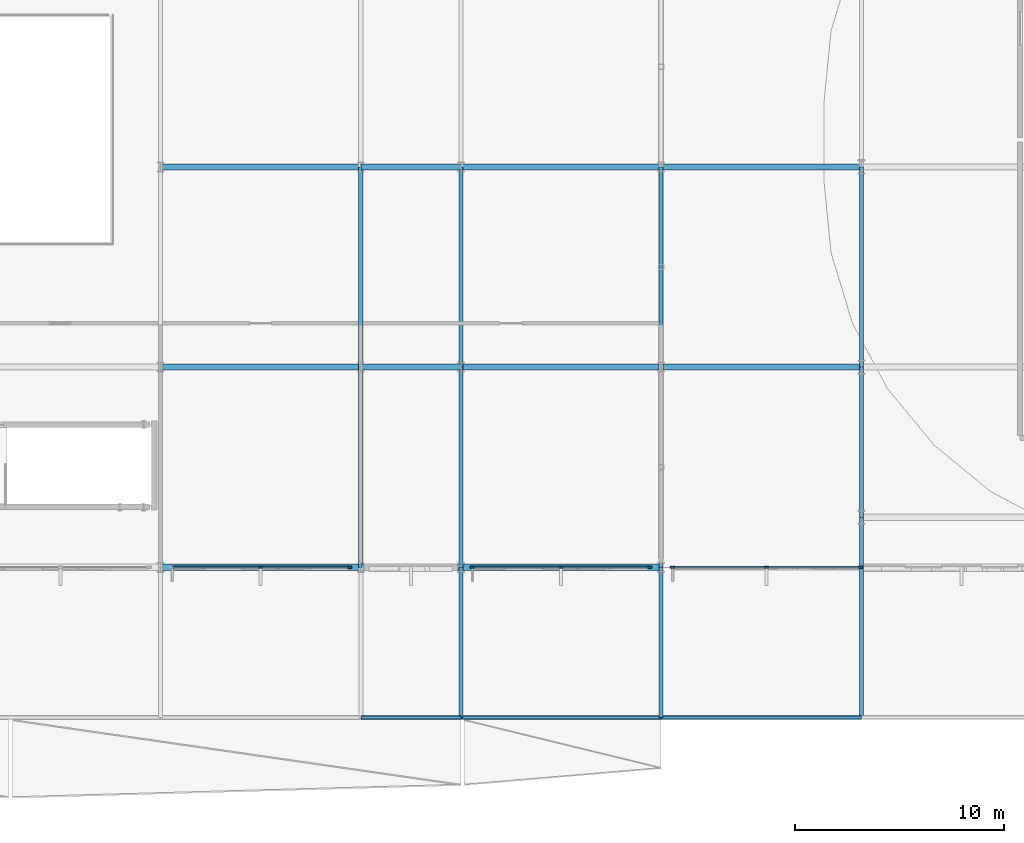
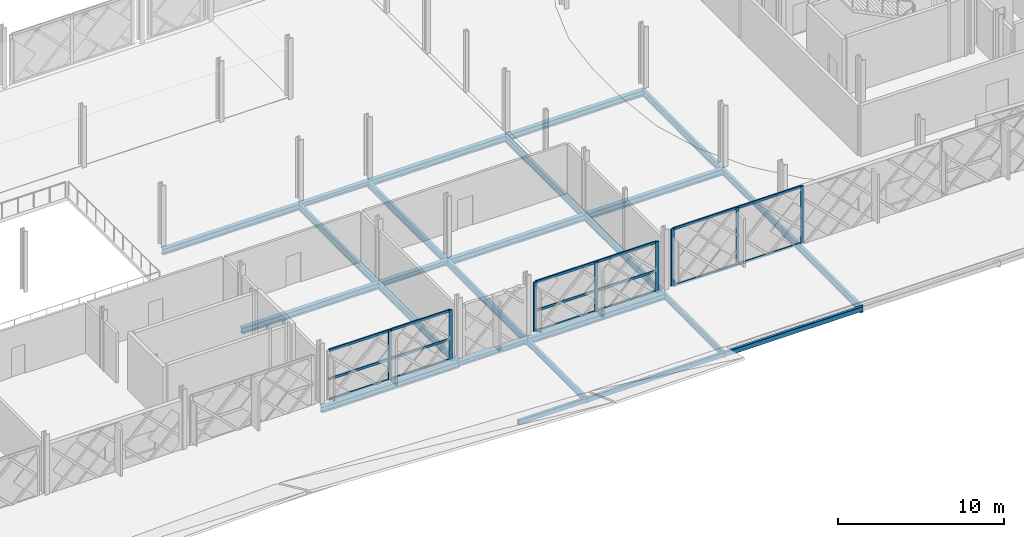
# One storey, part 39 of 101: 25 beams, 24 members, 3 elements without a shape of their own.
"""IFC4 building model written with IfcOpenShell, lengths in metres."""

from ifc_helpers import new_model, si_unit, direction, frame, origin, origin_2d, place, context, subcontext, project, spatial, rectangle, hollow_rectangle, i_section, extrude, material, layer, layer_set, material_profile, profile_set, type_object, element, aggregate, save


model = new_model("IFC4")

# Units and contexts
model_context = context("Model", 3, precision=1e-05, world=origin(), true_north=direction((0.0, 1.0)))
body_context = subcontext(model_context, "Body", "Model", "MODEL_VIEW")
ifc_project = project(units=[si_unit("LENGTHUNIT", "METRE"), si_unit("AREAUNIT", "SQUARE_METRE"), si_unit("VOLUMEUNIT", "CUBIC_METRE"), si_unit("PLANEANGLEUNIT", "RADIAN"), si_unit("MASSUNIT", "GRAM", prefix="KILO")], contexts=[model_context])

# Site, building, storey
site_placement = place(None, origin())
site = spatial("IfcSite", under=ifc_project, at=site_placement, CompositionType="ELEMENT")
building_placement = place(site_placement, origin())
building = spatial("IfcBuilding", under=site, at=building_placement, Name="Zevrakil Square Congress Hotel", CompositionType="ELEMENT")
storey_placement = place(building_placement, frame((0.0, 0.0, 5.39990234375)))
storey = spatial("IfcBuildingStorey", under=building, at=storey_placement, Name="L02", CompositionType="ELEMENT", Elevation=5.39990234375)

# Beams
ifc_material_1 = material(Name="Steel S355", Category="steel")
ifc_material_profile_1 = material_profile(ifc_material_1, i_section(OverallWidth=0.300048828125, OverallDepth=0.35009765625, WebThickness=0.010009765625, FlangeThickness=0.017578125, FilletRadius=0.027099609375, at=origin_2d()), Name="HEA 360")
ifc_profile_set_1 = profile_set([ifc_material_profile_1], Name="Steel S355")
beam_type_1 = type_object("IfcBeamType", Name="BM-HEA360", PredefinedType="BEAM", material=ifc_profile_set_1)
for number, where, z_axis, x_axis, name in (
    (1, (103.199951171875, 7.199951171875, -0.434814453125), (1.0, 0.0, 0.0), (0.0, 1.0, 0.0), "L02 primary girder BX-0687"),
    (2, (103.199951171875, 16.800048828125, -0.434814453125), (1.0, 0.0, 0.0), (0.0, 1.0, 0.0), "L02 primary girder BX-0699"),
    (3, (103.199951171875, 26.39990234375, -0.434814453125), (1.0, 0.0, 0.0), (0.0, 1.0, 0.0), "L02 primary girder BX-0712"),
):
    element("IfcBeam", number, at=place(storey_placement, frame(where, z_axis=z_axis, x_axis=x_axis)), inside=storey, type_object=beam_type_1, Name=name, PredefinedType="BEAM", context=body_context, shape_type="SweptSolid", body=[
        extrude(i_section(OverallWidth=0.300048828125, OverallDepth=0.35009765625, WebThickness=0.010009765625, FlangeThickness=0.017578125, FilletRadius=0.027099609375, at=origin_2d()), origin(), (0.0, 0.0, 1.0), 4.800048828125),
    ])
ifc_material_2 = material(Name="Steel S355", Category="steel")
ifc_material_profile_2 = material_profile(ifc_material_2, i_section(OverallWidth=0.300048828125, OverallDepth=0.43994140625, WebThickness=0.011474609375, FlangeThickness=0.02099609375, FilletRadius=0.027099609375, at=origin_2d()), Name="HEA 450")
ifc_profile_set_2 = profile_set([ifc_material_profile_2], Name="Steel S355")
beam_type_2 = type_object("IfcBeamType", Name="BM-HEA450", PredefinedType="BEAM", material=ifc_profile_set_2)
beam_1_placement = place(storey_placement, frame((93.60009765625, 7.199951171875, -0.47998046875), z_axis=(1.0, 0.0, 0.0), x_axis=(0.0, 1.0, 0.0)))
element("IfcBeam", 4, at=beam_1_placement, inside=storey, type_object=beam_type_2, Name="L02 primary girder BX-0686", PredefinedType="BEAM", context=body_context, shape_type="SweptSolid", body=[
    extrude(i_section(OverallWidth=0.300048828125, OverallDepth=0.43994140625, WebThickness=0.011474609375, FlangeThickness=0.02099609375, FilletRadius=0.027099609375, at=origin_2d()), origin(), (0.0, 0.0, 1.0), 9.599853515625),
])
beam_2_placement = place(storey_placement, frame((108.0, 7.199951171875, -0.47998046875), z_axis=(1.0, 0.0, 0.0), x_axis=(0.0, 1.0, 0.0)))
element("IfcBeam", 5, at=beam_2_placement, inside=storey, type_object=beam_type_2, Name="L02 primary girder BX-0688", PredefinedType="BEAM", context=body_context, shape_type="SweptSolid", body=[
    extrude(i_section(OverallWidth=0.300048828125, OverallDepth=0.43994140625, WebThickness=0.011474609375, FlangeThickness=0.02099609375, FilletRadius=0.027099609375, at=origin_2d()), origin(), (0.0, 0.0, 1.0), 9.60009765625),
])
beam_3_placement = place(storey_placement, frame((93.60009765625, 16.800048828125, -0.47998046875), z_axis=(1.0, 0.0, 0.0), x_axis=(0.0, 1.0, 0.0)))
element("IfcBeam", 6, at=beam_3_placement, inside=storey, type_object=beam_type_2, Name="L02 primary girder BX-0698", PredefinedType="BEAM", context=body_context, shape_type="SweptSolid", body=[
    extrude(i_section(OverallWidth=0.300048828125, OverallDepth=0.43994140625, WebThickness=0.011474609375, FlangeThickness=0.02099609375, FilletRadius=0.027099609375, at=origin_2d()), origin(), (0.0, 0.0, 1.0), 9.599853515625),
])
beam_4_placement = place(storey_placement, frame((108.0, 16.800048828125, -0.47998046875), z_axis=(1.0, 0.0, 0.0), x_axis=(0.0, 1.0, 0.0)))
element("IfcBeam", 7, at=beam_4_placement, inside=storey, type_object=beam_type_2, Name="L02 primary girder BX-0700", PredefinedType="BEAM", context=body_context, shape_type="SweptSolid", body=[
    extrude(i_section(OverallWidth=0.300048828125, OverallDepth=0.43994140625, WebThickness=0.011474609375, FlangeThickness=0.02099609375, FilletRadius=0.027099609375, at=origin_2d()), origin(), (0.0, 0.0, 1.0), 9.60009765625),
])
for number, where, z_axis, x_axis, name in (
    (8, (117.60009765625, 16.800048828125, -0.47998046875), (1.0, 0.0, 0.0), (0.0, 1.0, 0.0), "L02 primary girder BX-0701"),
    (9, (93.60009765625, 26.39990234375, -0.47998046875), (1.0, 0.0, 0.0), (0.0, 1.0, 0.0), "L02 primary girder BX-0711"),
):
    element("IfcBeam", number, at=place(storey_placement, frame(where, z_axis=z_axis, x_axis=x_axis)), inside=storey, type_object=beam_type_2, Name=name, PredefinedType="BEAM", context=body_context, shape_type="SweptSolid", body=[
        extrude(i_section(OverallWidth=0.300048828125, OverallDepth=0.43994140625, WebThickness=0.011474609375, FlangeThickness=0.02099609375, FilletRadius=0.027099609375, at=origin_2d()), origin(), (0.0, 0.0, 1.0), 9.599853515625),
    ])
beam_5_placement = place(storey_placement, frame((108.0, 26.39990234375, -0.47998046875), z_axis=(1.0, 0.0, 0.0), x_axis=(0.0, 1.0, 0.0)))
element("IfcBeam", 10, at=beam_5_placement, inside=storey, type_object=beam_type_2, Name="L02 primary girder BX-0713", PredefinedType="BEAM", context=body_context, shape_type="SweptSolid", body=[
    extrude(i_section(OverallWidth=0.300048828125, OverallDepth=0.43994140625, WebThickness=0.011474609375, FlangeThickness=0.02099609375, FilletRadius=0.027099609375, at=origin_2d()), origin(), (0.0, 0.0, 1.0), 9.60009765625),
])
beam_6_placement = place(storey_placement, frame((117.60009765625, 26.39990234375, -0.47998046875), z_axis=(1.0, 0.0, 0.0), x_axis=(0.0, 1.0, 0.0)))
element("IfcBeam", 11, at=beam_6_placement, inside=storey, type_object=beam_type_2, Name="L02 primary girder BX-0714", PredefinedType="BEAM", context=body_context, shape_type="SweptSolid", body=[
    extrude(i_section(OverallWidth=0.300048828125, OverallDepth=0.43994140625, WebThickness=0.011474609375, FlangeThickness=0.02099609375, FilletRadius=0.027099609375, at=origin_2d()), origin(), (0.0, 0.0, 1.0), 9.599853515625),
])
ifc_material_3 = material(Name="Steel S355", Category="steel")
ifc_material_profile_3 = material_profile(ifc_material_3, i_section(OverallWidth=0.18994140625, OverallDepth=0.449951171875, WebThickness=0.009521484375, FlangeThickness=0.0146484375, FilletRadius=0.02099609375, at=origin_2d()), Name="IPE 450")
ifc_profile_set_3 = profile_set([ifc_material_profile_3], Name="Steel S355")
beam_type_3 = type_object("IfcBeamType", Name="BM-IPE450", PredefinedType="BEAM", material=ifc_profile_set_3)
for number, where, z_axis, x_axis, name in (
    (12, (108.0, 0.0, -0.48486328125), (0.0, 1.0, 0.0), (-1.0, 0.0, 0.0), "L02 primary girder BY-0908"),
    (13, (117.60009765625, 0.0, -0.48486328125), (0.0, 1.0, 0.0), (-1.0, 0.0, 0.0), "L02 primary girder BY-0920"),
    (14, (127.199951171875, 9.60009765625, -0.48486328125), (0.0, 1.0, 0.0), (-1.0, 0.0, 0.0), "L02 primary girder BY-0933"),
):
    element("IfcBeam", number, at=place(storey_placement, frame(where, z_axis=z_axis, x_axis=x_axis)), inside=storey, type_object=beam_type_3, Name=name, PredefinedType="BEAM", context=body_context, shape_type="SweptSolid", body=[
        extrude(i_section(OverallWidth=0.18994140625, OverallDepth=0.449951171875, WebThickness=0.009521484375, FlangeThickness=0.0146484375, FilletRadius=0.02099609375, at=origin_2d()), origin(), (0.0, 0.0, 1.0), 7.199951171875),
    ])
ifc_material_4 = material(Name="Steel S355", Category="steel")
ifc_material_profile_4 = material_profile(ifc_material_4, i_section(OverallWidth=0.199951171875, OverallDepth=0.5, WebThickness=0.01025390625, FlangeThickness=0.01611328125, FilletRadius=0.02099609375, at=origin_2d()), Name="IPE 500")
ifc_profile_set_4 = profile_set([ifc_material_profile_4], Name="Steel S355")
beam_type_4 = type_object("IfcBeamType", Name="BM-IPE500", PredefinedType="BEAM", material=ifc_profile_set_4)
beam_7_placement = place(storey_placement, frame((103.199951171875, 7.199951171875, -0.510009765625), z_axis=(0.0, 1.0, 0.0), x_axis=(-1.0, 0.0, 0.0)))
element("IfcBeam", 15, at=beam_7_placement, inside=storey, type_object=beam_type_4, Name="L02 primary girder BY-0901", PredefinedType="BEAM", context=body_context, shape_type="SweptSolid", body=[
    extrude(i_section(OverallWidth=0.199951171875, OverallDepth=0.5, WebThickness=0.01025390625, FlangeThickness=0.01611328125, FilletRadius=0.02099609375, at=origin_2d()), origin(), (0.0, 0.0, 1.0), 9.60009765625),
])
beam_8_placement = place(storey_placement, frame((103.199951171875, 16.800048828125, -0.510009765625), z_axis=(0.0, 1.0, 0.0), x_axis=(-1.0, 0.0, 0.0)))
element("IfcBeam", 16, at=beam_8_placement, inside=storey, type_object=beam_type_4, Name="L02 primary girder BY-0902", PredefinedType="BEAM", context=body_context, shape_type="SweptSolid", body=[
    extrude(i_section(OverallWidth=0.199951171875, OverallDepth=0.5, WebThickness=0.01025390625, FlangeThickness=0.01611328125, FilletRadius=0.02099609375, at=origin_2d()), origin(), (0.0, 0.0, 1.0), 9.599853515625),
])
beam_9_placement = place(storey_placement, frame((108.0, 7.199951171875, -0.510009765625), z_axis=(0.0, 1.0, 0.0), x_axis=(-1.0, 0.0, 0.0)))
element("IfcBeam", 17, at=beam_9_placement, inside=storey, type_object=beam_type_4, Name="L02 primary girder BY-0909", PredefinedType="BEAM", context=body_context, shape_type="SweptSolid", body=[
    extrude(i_section(OverallWidth=0.199951171875, OverallDepth=0.5, WebThickness=0.01025390625, FlangeThickness=0.01611328125, FilletRadius=0.02099609375, at=origin_2d()), origin(), (0.0, 0.0, 1.0), 9.60009765625),
])
beam_10_placement = place(storey_placement, frame((108.0, 16.800048828125, -0.510009765625), z_axis=(0.0, 1.0, 0.0), x_axis=(-1.0, 0.0, 0.0)))
element("IfcBeam", 18, at=beam_10_placement, inside=storey, type_object=beam_type_4, Name="L02 primary girder BY-0910", PredefinedType="BEAM", context=body_context, shape_type="SweptSolid", body=[
    extrude(i_section(OverallWidth=0.199951171875, OverallDepth=0.5, WebThickness=0.01025390625, FlangeThickness=0.01611328125, FilletRadius=0.02099609375, at=origin_2d()), origin(), (0.0, 0.0, 1.0), 9.599853515625),
])
beam_11_placement = place(storey_placement, frame((117.60009765625, 7.199951171875, -0.510009765625), z_axis=(0.0, 1.0, 0.0), x_axis=(-1.0, 0.0, 0.0)))
element("IfcBeam", 19, at=beam_11_placement, inside=storey, type_object=beam_type_4, Name="L02 primary girder BY-0921", PredefinedType="BEAM", context=body_context, shape_type="SweptSolid", body=[
    extrude(i_section(OverallWidth=0.199951171875, OverallDepth=0.5, WebThickness=0.01025390625, FlangeThickness=0.01611328125, FilletRadius=0.02099609375, at=origin_2d()), origin(), (0.0, 0.0, 1.0), 9.60009765625),
])
beam_12_placement = place(storey_placement, frame((117.60009765625, 16.800048828125, -0.510009765625), z_axis=(0.0, 1.0, 0.0), x_axis=(-1.0, 0.0, 0.0)))
element("IfcBeam", 20, at=beam_12_placement, inside=storey, type_object=beam_type_4, Name="L02 primary girder BY-0922", PredefinedType="BEAM", context=body_context, shape_type="SweptSolid", body=[
    extrude(i_section(OverallWidth=0.199951171875, OverallDepth=0.5, WebThickness=0.01025390625, FlangeThickness=0.01611328125, FilletRadius=0.02099609375, at=origin_2d()), origin(), (0.0, 0.0, 1.0), 9.599853515625),
])
beam_13_placement = place(storey_placement, frame((127.199951171875, 0.0, -0.510009765625), z_axis=(0.0, 1.0, 0.0), x_axis=(-1.0, 0.0, 0.0)))
element("IfcBeam", 21, at=beam_13_placement, inside=storey, type_object=beam_type_4, Name="L02 primary girder BY-0932", PredefinedType="BEAM", context=body_context, shape_type="SweptSolid", body=[
    extrude(i_section(OverallWidth=0.199951171875, OverallDepth=0.5, WebThickness=0.01025390625, FlangeThickness=0.01611328125, FilletRadius=0.02099609375, at=origin_2d()), origin(), (0.0, 0.0, 1.0), 9.60009765625),
])
beam_14_placement = place(storey_placement, frame((127.199951171875, 16.800048828125, -0.510009765625), z_axis=(0.0, 1.0, 0.0), x_axis=(-1.0, 0.0, 0.0)))
element("IfcBeam", 22, at=beam_14_placement, inside=storey, type_object=beam_type_4, Name="L02 primary girder BY-0934", PredefinedType="BEAM", context=body_context, shape_type="SweptSolid", body=[
    extrude(i_section(OverallWidth=0.199951171875, OverallDepth=0.5, WebThickness=0.01025390625, FlangeThickness=0.01611328125, FilletRadius=0.02099609375, at=origin_2d()), origin(), (0.0, 0.0, 1.0), 9.599853515625),
])

# Curtain wall, members
ifc_material_5 = material(Name="Aluminium Anodised Bronze", Category="aluminium")
ifc_layer_1 = layer(ifc_material_5, 0.179931640625)
ifc_layer_set_1 = layer_set([ifc_layer_1], Name="Aluminium Anodised Bronze")
curtain_wall_type_1 = type_object("IfcCurtainWallType", Name="CW-L02-840", PredefinedType="USERDEFINED", material=ifc_layer_set_1)
curtain_wall_1_placement = place(storey_placement, origin())
curtain_wall_1 = element("IfcCurtainWall", 23, at=curtain_wall_1_placement, inside=storey, type_object=curtain_wall_type_1, Name="L02 diamond curtain wall CW-L02-0010", ObjectType="GLAZED CURTAIN WALL", PredefinedType="USERDEFINED")
ifc_material_6 = material(Name="Aluminium Anodised Bronze", Category="aluminium")
ifc_material_profile_5 = material_profile(ifc_material_6, rectangle(XDim=0.0849609375, YDim=0.179931640625, at=origin_2d()), Name="ALU 85x180")
ifc_profile_set_5 = profile_set([ifc_material_profile_5], Name="Aluminium Anodised Bronze")
member_type_1 = type_object("IfcMemberType", Name="CWM-ALU85x180", PredefinedType="USERDEFINED", material=ifc_profile_set_5)
member_1_placement = place(storey_placement, frame((94.179931640625, 7.199951171875, 0.030029296875), z_axis=(1.0, 0.0, 0.0), x_axis=(0.0, 1.0, 0.0)))
member_1 = element("IfcMember", 24, at=member_1_placement, type_object=member_type_1, Name="CW-23 transom 1.1", ObjectType="TRANSOM", PredefinedType="USERDEFINED", context=body_context, shape_type="SweptSolid", body=[
    extrude(rectangle(XDim=0.0849609375, YDim=0.179931640625, at=origin_2d()), origin(), (0.0, 0.0, 1.0), 4.190185546875),
])
member_2_placement = place(storey_placement, frame((94.179931640625, 7.199951171875, 1.5478515625), z_axis=(1.0, 0.0, 0.0), x_axis=(0.0, 1.0, 0.0)))
member_2 = element("IfcMember", 25, at=member_2_placement, type_object=member_type_1, Name="CW-23 transom 1.2", ObjectType="TRANSOM", PredefinedType="USERDEFINED", context=body_context, shape_type="SweptSolid", body=[
    extrude(rectangle(XDim=0.0849609375, YDim=0.179931640625, at=origin_2d()), origin(), (0.0, 0.0, 1.0), 4.190185546875),
])
member_3_placement = place(storey_placement, frame((94.179931640625, 7.199951171875, 3.655029296875), z_axis=(1.0, 0.0, 0.0), x_axis=(0.0, 1.0, 0.0)))
member_3 = element("IfcMember", 26, at=member_3_placement, type_object=member_type_1, Name="CW-23 transom 1.3", ObjectType="TRANSOM", PredefinedType="USERDEFINED", context=body_context, shape_type="SweptSolid", body=[
    extrude(rectangle(XDim=0.0849609375, YDim=0.179931640625, at=origin_2d()), origin(), (0.0, 0.0, 1.0), 4.190185546875),
])
member_4_placement = place(storey_placement, frame((98.429931640625, 7.199951171875, 0.030029296875), z_axis=(1.0, 0.0, 0.0), x_axis=(0.0, 1.0, 0.0)))
member_4 = element("IfcMember", 27, at=member_4_placement, type_object=member_type_1, Name="CW-23 transom 2.1", ObjectType="TRANSOM", PredefinedType="USERDEFINED", context=body_context, shape_type="SweptSolid", body=[
    extrude(rectangle(XDim=0.0849609375, YDim=0.179931640625, at=origin_2d()), origin(), (0.0, 0.0, 1.0), 4.190185546875),
])
member_5_placement = place(storey_placement, frame((98.429931640625, 7.199951171875, 1.5478515625), z_axis=(1.0, 0.0, 0.0), x_axis=(0.0, 1.0, 0.0)))
member_5 = element("IfcMember", 28, at=member_5_placement, type_object=member_type_1, Name="CW-23 transom 2.2", ObjectType="TRANSOM", PredefinedType="USERDEFINED", context=body_context, shape_type="SweptSolid", body=[
    extrude(rectangle(XDim=0.0849609375, YDim=0.179931640625, at=origin_2d()), origin(), (0.0, 0.0, 1.0), 4.190185546875),
])
member_6_placement = place(storey_placement, frame((98.429931640625, 7.199951171875, 3.655029296875), z_axis=(1.0, 0.0, 0.0), x_axis=(0.0, 1.0, 0.0)))
member_6 = element("IfcMember", 29, at=member_6_placement, type_object=member_type_1, Name="CW-23 transom 2.3", ObjectType="TRANSOM", PredefinedType="USERDEFINED", context=body_context, shape_type="SweptSolid", body=[
    extrude(rectangle(XDim=0.0849609375, YDim=0.179931640625, at=origin_2d()), origin(), (0.0, 0.0, 1.0), 4.190185546875),
])

curtain_wall_2_placement = place(storey_placement, origin())
curtain_wall_2 = element("IfcCurtainWall", 30, at=curtain_wall_2_placement, inside=storey, type_object=curtain_wall_type_1, Name="L02 diamond curtain wall CW-L02-0012", ObjectType="GLAZED CURTAIN WALL", PredefinedType="USERDEFINED")
member_7_placement = place(storey_placement, frame((108.580078125, 7.199951171875, 0.030029296875), z_axis=(1.0, 0.0, 0.0), x_axis=(0.0, 1.0, 0.0)))
member_7 = element("IfcMember", 31, at=member_7_placement, type_object=member_type_1, Name="CW-23 transom 1.1", ObjectType="TRANSOM", PredefinedType="USERDEFINED", context=body_context, shape_type="SweptSolid", body=[
    extrude(rectangle(XDim=0.0849609375, YDim=0.179931640625, at=origin_2d()), origin(), (0.0, 0.0, 1.0), 4.18994140625),
])
member_8_placement = place(storey_placement, frame((108.580078125, 7.199951171875, 1.5478515625), z_axis=(1.0, 0.0, 0.0), x_axis=(0.0, 1.0, 0.0)))
member_8 = element("IfcMember", 32, at=member_8_placement, type_object=member_type_1, Name="CW-23 transom 1.2", ObjectType="TRANSOM", PredefinedType="USERDEFINED", context=body_context, shape_type="SweptSolid", body=[
    extrude(rectangle(XDim=0.0849609375, YDim=0.179931640625, at=origin_2d()), origin(), (0.0, 0.0, 1.0), 4.18994140625),
])
member_9_placement = place(storey_placement, frame((108.580078125, 7.199951171875, 3.655029296875), z_axis=(1.0, 0.0, 0.0), x_axis=(0.0, 1.0, 0.0)))
member_9 = element("IfcMember", 33, at=member_9_placement, type_object=member_type_1, Name="CW-23 transom 1.3", ObjectType="TRANSOM", PredefinedType="USERDEFINED", context=body_context, shape_type="SweptSolid", body=[
    extrude(rectangle(XDim=0.0849609375, YDim=0.179931640625, at=origin_2d()), origin(), (0.0, 0.0, 1.0), 4.18994140625),
])
member_10_placement = place(storey_placement, frame((112.830078125, 7.199951171875, 0.030029296875), z_axis=(1.0, 0.0, 0.0), x_axis=(0.0, 1.0, 0.0)))
member_10 = element("IfcMember", 34, at=member_10_placement, type_object=member_type_1, Name="CW-23 transom 2.1", ObjectType="TRANSOM", PredefinedType="USERDEFINED", context=body_context, shape_type="SweptSolid", body=[
    extrude(rectangle(XDim=0.0849609375, YDim=0.179931640625, at=origin_2d()), origin(), (0.0, 0.0, 1.0), 4.18994140625),
])
member_11_placement = place(storey_placement, frame((112.830078125, 7.199951171875, 1.5478515625), z_axis=(1.0, 0.0, 0.0), x_axis=(0.0, 1.0, 0.0)))
member_11 = element("IfcMember", 35, at=member_11_placement, type_object=member_type_1, Name="CW-23 transom 2.2", ObjectType="TRANSOM", PredefinedType="USERDEFINED", context=body_context, shape_type="SweptSolid", body=[
    extrude(rectangle(XDim=0.0849609375, YDim=0.179931640625, at=origin_2d()), origin(), (0.0, 0.0, 1.0), 4.18994140625),
])
member_12_placement = place(storey_placement, frame((112.830078125, 7.199951171875, 3.655029296875), z_axis=(1.0, 0.0, 0.0), x_axis=(0.0, 1.0, 0.0)))
member_12 = element("IfcMember", 36, at=member_12_placement, type_object=member_type_1, Name="CW-23 transom 2.3", ObjectType="TRANSOM", PredefinedType="USERDEFINED", context=body_context, shape_type="SweptSolid", body=[
    extrude(rectangle(XDim=0.0849609375, YDim=0.179931640625, at=origin_2d()), origin(), (0.0, 0.0, 1.0), 4.18994140625),
])

ifc_material_7 = material(Name="Aluminium Anodised Bronze", Category="aluminium")
ifc_layer_2 = layer(ifc_material_7, 0.179931640625)
ifc_layer_set_2 = layer_set([ifc_layer_2], Name="Aluminium Anodised Bronze")
curtain_wall_type_2 = type_object("IfcCurtainWallType", Name="CW-L02-900", PredefinedType="USERDEFINED", material=ifc_layer_set_2)
curtain_wall_3_placement = place(storey_placement, origin())
curtain_wall_3 = element("IfcCurtainWall", 37, at=curtain_wall_3_placement, inside=storey, type_object=curtain_wall_type_2, Name="L02 diamond curtain wall CW-L02-0013", ObjectType="GLAZED CURTAIN WALL", PredefinedType="USERDEFINED")
member_13_placement = place(storey_placement, frame((118.179931640625, 7.199951171875, 0.030029296875), z_axis=(1.0, 0.0, 0.0), x_axis=(0.0, 1.0, 0.0)))
member_13 = element("IfcMember", 38, at=member_13_placement, type_object=member_type_1, Name="CW-24 transom 1.1", ObjectType="TRANSOM", PredefinedType="USERDEFINED", context=body_context, shape_type="SweptSolid", body=[
    extrude(rectangle(XDim=0.0849609375, YDim=0.179931640625, at=origin_2d()), origin(), (0.0, 0.0, 1.0), 4.448486328125),
])
member_14_placement = place(storey_placement, frame((118.179931640625, 7.199951171875, 4.210205078125), z_axis=(1.0, 0.0, 0.0), x_axis=(0.0, 1.0, 0.0)))
member_14 = element("IfcMember", 39, at=member_14_placement, type_object=member_type_1, Name="CW-24 transom 1.2", ObjectType="TRANSOM", PredefinedType="USERDEFINED", context=body_context, shape_type="SweptSolid", body=[
    extrude(rectangle(XDim=0.0849609375, YDim=0.179931640625, at=origin_2d()), origin(), (0.0, 0.0, 1.0), 4.448486328125),
])
member_15_placement = place(storey_placement, frame((122.6884765625, 7.199951171875, 0.030029296875), z_axis=(1.0, 0.0, 0.0), x_axis=(0.0, 1.0, 0.0)))
member_15 = element("IfcMember", 40, at=member_15_placement, type_object=member_type_1, Name="CW-24 transom 2.1", ObjectType="TRANSOM", PredefinedType="USERDEFINED", context=body_context, shape_type="SweptSolid", body=[
    extrude(rectangle(XDim=0.0849609375, YDim=0.179931640625, at=origin_2d()), origin(), (0.0, 0.0, 1.0), 4.448486328125),
])
member_16_placement = place(storey_placement, frame((122.6884765625, 7.199951171875, 4.210205078125), z_axis=(1.0, 0.0, 0.0), x_axis=(0.0, 1.0, 0.0)))
member_16 = element("IfcMember", 41, at=member_16_placement, type_object=member_type_1, Name="CW-24 transom 2.2", ObjectType="TRANSOM", PredefinedType="USERDEFINED", context=body_context, shape_type="SweptSolid", body=[
    extrude(rectangle(XDim=0.0849609375, YDim=0.179931640625, at=origin_2d()), origin(), (0.0, 0.0, 1.0), 4.448486328125),
])

# Member
ifc_material_8 = material(Name="Aluminium Anodised Bronze", Category="aluminium")
ifc_material_profile_6 = material_profile(ifc_material_8, rectangle(XDim=0.0849609375, YDim=0.219970703125, at=origin_2d()), Name="ALU 85x220")
ifc_profile_set_6 = profile_set([ifc_material_profile_6], Name="Aluminium Anodised Bronze")
member_type_2 = type_object("IfcMemberType", Name="CWM-ALU85x220", PredefinedType="MULLION", material=ifc_profile_set_6)
member_17_placement = place(storey_placement, frame((98.39990234375, 7.199951171875, 0.0), z_axis=(0.0, 0.0, 1.0), x_axis=(0.0, 1.0, 0.0)))
member_17 = element("IfcMember", 42, at=member_17_placement, type_object=member_type_2, Name="CW-23 mullion 2", PredefinedType="MULLION", context=body_context, shape_type="SweptSolid", body=[
    extrude(rectangle(XDim=0.0849609375, YDim=0.219970703125, at=origin_2d()), origin(), (0.0, 0.0, 1.0), 3.68505859375),
])

member_18_placement = place(storey_placement, frame((102.64990234375, 7.199951171875, 0.0), z_axis=(0.0, 0.0, 1.0), x_axis=(0.0, 1.0, 0.0)))
member_18 = element("IfcMember", 43, at=member_18_placement, type_object=member_type_2, Name="CW-23 mullion 3", PredefinedType="MULLION", context=body_context, shape_type="SweptSolid", body=[
    extrude(rectangle(XDim=0.0849609375, YDim=0.219970703125, at=origin_2d()), origin(), (0.0, 0.0, 1.0), 3.68505859375),
])

aggregate(curtain_wall_1, [member_17, member_18, member_1, member_2, member_3, member_4, member_5, member_6])

member_19_placement = place(storey_placement, frame((108.550048828125, 7.199951171875, 0.0), z_axis=(0.0, 0.0, 1.0), x_axis=(0.0, 1.0, 0.0)))
member_19 = element("IfcMember", 44, at=member_19_placement, type_object=member_type_2, Name="CW-23 mullion 1", PredefinedType="MULLION", context=body_context, shape_type="SweptSolid", body=[
    extrude(rectangle(XDim=0.0849609375, YDim=0.219970703125, at=origin_2d()), origin(), (0.0, 0.0, 1.0), 3.68505859375),
])

member_20_placement = place(storey_placement, frame((112.800048828125, 7.199951171875, 0.0), z_axis=(0.0, 0.0, 1.0), x_axis=(0.0, 1.0, 0.0)))
member_20 = element("IfcMember", 45, at=member_20_placement, type_object=member_type_2, Name="CW-23 mullion 2", PredefinedType="MULLION", context=body_context, shape_type="SweptSolid", body=[
    extrude(rectangle(XDim=0.0849609375, YDim=0.219970703125, at=origin_2d()), origin(), (0.0, 0.0, 1.0), 3.68505859375),
])

member_21_placement = place(storey_placement, frame((117.050048828125, 7.199951171875, 0.0), z_axis=(0.0, 0.0, 1.0), x_axis=(0.0, 1.0, 0.0)))
member_21 = element("IfcMember", 46, at=member_21_placement, type_object=member_type_2, Name="CW-23 mullion 3", PredefinedType="MULLION", context=body_context, shape_type="SweptSolid", body=[
    extrude(rectangle(XDim=0.0849609375, YDim=0.219970703125, at=origin_2d()), origin(), (0.0, 0.0, 1.0), 3.68505859375),
])

aggregate(curtain_wall_2, [member_19, member_20, member_21, member_7, member_8, member_9, member_10, member_11, member_12])

member_22_placement = place(storey_placement, frame((118.14990234375, 7.199951171875, 0.0), z_axis=(0.0, 0.0, 1.0), x_axis=(0.0, 1.0, 0.0)))
member_22 = element("IfcMember", 47, at=member_22_placement, type_object=member_type_2, Name="CW-24 mullion 1", PredefinedType="MULLION", context=body_context, shape_type="SweptSolid", body=[
    extrude(rectangle(XDim=0.0849609375, YDim=0.219970703125, at=origin_2d()), origin(), (0.0, 0.0, 1.0), 4.239990234375),
])

member_23_placement = place(storey_placement, frame((122.658447265625, 7.199951171875, 0.0), z_axis=(0.0, 0.0, 1.0), x_axis=(0.0, 1.0, 0.0)))
member_23 = element("IfcMember", 48, at=member_23_placement, type_object=member_type_2, Name="CW-24 mullion 2", PredefinedType="MULLION", context=body_context, shape_type="SweptSolid", body=[
    extrude(rectangle(XDim=0.0849609375, YDim=0.219970703125, at=origin_2d()), origin(), (0.0, 0.0, 1.0), 4.239990234375),
])

member_24_placement = place(storey_placement, frame((127.1669921875, 7.199951171875, 0.0), z_axis=(0.0, 0.0, 1.0), x_axis=(0.0, 1.0, 0.0)))
member_24 = element("IfcMember", 49, at=member_24_placement, type_object=member_type_2, Name="CW-24 mullion 3", PredefinedType="MULLION", context=body_context, shape_type="SweptSolid", body=[
    extrude(rectangle(XDim=0.0849609375, YDim=0.219970703125, at=origin_2d()), origin(), (0.0, 0.0, 1.0), 4.239990234375),
])

aggregate(curtain_wall_3, [member_22, member_23, member_24, member_13, member_14, member_15, member_16])

# Beams
ifc_material_9 = material(Name="Steel S355", Category="steel")
ifc_material_profile_7 = material_profile(ifc_material_9, hollow_rectangle(XDim=0.199951171875, YDim=0.35009765625, WallThickness=0.01611328125, InnerFilletRadius=0.01611328125, OuterFilletRadius=0.031982421875, at=origin_2d()), Name="RHS 350x200x16")
ifc_profile_set_7 = profile_set([ifc_material_profile_7], Name="Steel S355")
beam_type_5 = type_object("IfcBeamType", Name="SPD-RHS350", PredefinedType="SPANDREL", material=ifc_profile_set_7)
beam_15_placement = place(storey_placement, frame((103.199951171875, 0.0, -0.434814453125), z_axis=(1.0, 0.0, 0.0), x_axis=(0.0, 1.0, 0.0)))
element("IfcBeam", 50, at=beam_15_placement, inside=storey, type_object=beam_type_5, Name="L02 primary girder BX-0668", PredefinedType="SPANDREL", context=body_context, shape_type="SweptSolid", body=[
    extrude(hollow_rectangle(XDim=0.199951171875, YDim=0.35009765625, WallThickness=0.01611328125, InnerFilletRadius=0.01611328125, OuterFilletRadius=0.031982421875, at=origin_2d()), origin(), (0.0, 0.0, 1.0), 4.800048828125),
])
beam_16_placement = place(storey_placement, frame((108.0, 0.0, -0.434814453125), z_axis=(1.0, 0.0, 0.0), x_axis=(0.0, 1.0, 0.0)))
element("IfcBeam", 51, at=beam_16_placement, inside=storey, type_object=beam_type_5, Name="L02 primary girder BX-0669", PredefinedType="SPANDREL", context=body_context, shape_type="SweptSolid", body=[
    extrude(hollow_rectangle(XDim=0.199951171875, YDim=0.35009765625, WallThickness=0.01611328125, InnerFilletRadius=0.01611328125, OuterFilletRadius=0.031982421875, at=origin_2d()), origin(), (0.0, 0.0, 1.0), 9.60009765625),
])
beam_17_placement = place(storey_placement, frame((117.60009765625, 0.0, -0.434814453125), z_axis=(1.0, 0.0, 0.0), x_axis=(0.0, 1.0, 0.0)))
element("IfcBeam", 52, at=beam_17_placement, inside=storey, type_object=beam_type_5, Name="L02 primary girder BX-0670", PredefinedType="SPANDREL", context=body_context, shape_type="SweptSolid", body=[
    extrude(hollow_rectangle(XDim=0.199951171875, YDim=0.35009765625, WallThickness=0.01611328125, InnerFilletRadius=0.01611328125, OuterFilletRadius=0.031982421875, at=origin_2d()), origin(), (0.0, 0.0, 1.0), 9.599853515625),
])

save(model, "model.ifc")
